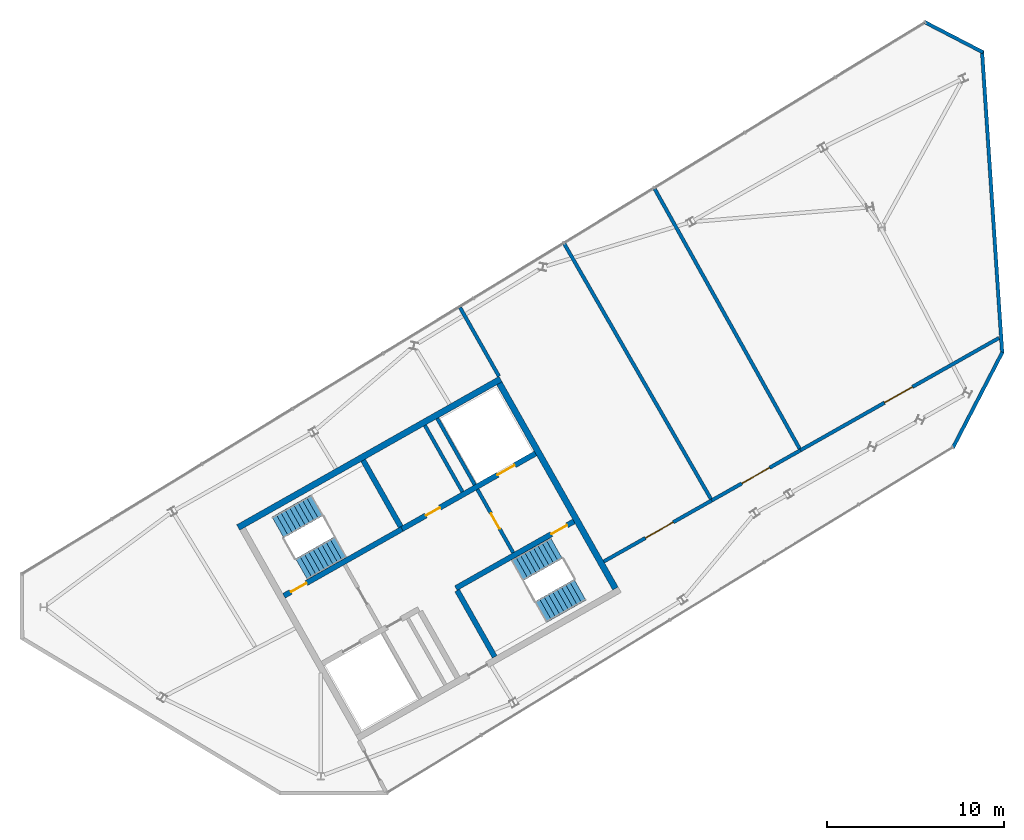
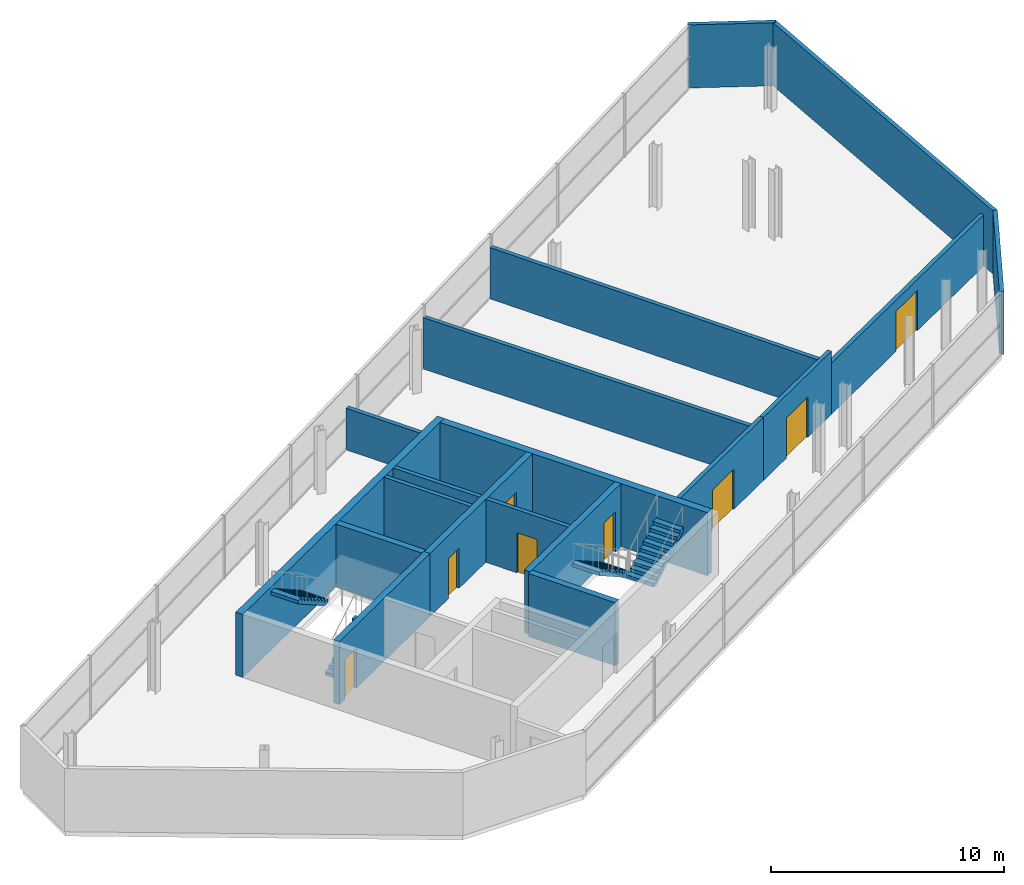
# One storey, part 7 of 8: 19 walls, 8 doors, 4 stair flights, 8 openings, 2 elements without a shape of their own.
"""IFC4 building model written with IfcOpenShell, lengths in metres."""

from ifc_helpers import new_model, si_unit, direction, frame, frame_2d, origin, place, context, subcontext, project, spatial, polyline, rectangle, outline, extrude, material, layer, layer_set, type_object, element, fill, aggregate, save


model = new_model("IFC4")

# Units and contexts
model_context = context("Model", 3, precision=1e-05, world=origin(), true_north=direction((0.0, 1.0)))
body_context = subcontext(model_context, "Body", "Model", "MODEL_VIEW")
ifc_project = project(units=[si_unit("LENGTHUNIT", "METRE"), si_unit("AREAUNIT", "SQUARE_METRE"), si_unit("VOLUMEUNIT", "CUBIC_METRE"), si_unit("PLANEANGLEUNIT", "RADIAN"), si_unit("MASSUNIT", "GRAM", prefix="KILO")], contexts=[model_context])

# Site, building, storey
site_placement = place(None, origin())
site = spatial("IfcSite", under=ifc_project, at=site_placement, CompositionType="ELEMENT")
building_placement = place(site_placement, origin())
building = spatial("IfcBuilding", under=site, at=building_placement, Name="Binnacle Exchange Tower", CompositionType="ELEMENT")
storey_placement = place(building_placement, frame((0.0, 0.0, 350.5)))
storey = spatial("IfcBuildingStorey", under=building, at=storey_placement, Name="L80", CompositionType="ELEMENT", Elevation=350.5)

# Wall, openings, doors
ifc_material_1 = material(Name="Concrete C70/85", Category="concrete")
ifc_layer_1 = layer(ifc_material_1, 0.300048828125)
ifc_layer_set_1 = layer_set([ifc_layer_1], Name="Core wall - front 300")
wall_type_1 = type_object("IfcWallType", Name="Core wall - front 300", PredefinedType="SOLIDWALL", material=ifc_layer_set_1)
wall_1_placement = place(storey_placement, frame((-37.281982421875, 41.4345703125, 0.0), z_axis=(0.0, 0.0, 1.0), x_axis=(0.870364588774, 0.492407841741, 0.0)))
wall_1 = element("IfcWall", 1, at=wall_1_placement, inside=storey, type_object=wall_type_1, Name="Core wall CRWA5", PredefinedType="SOLIDWALL", context=body_context, shape_type="SweptSolid", body=[
    extrude(rectangle(XDim=8.64990234375, YDim=0.300048828125, at=frame_2d((4.324951171875, 0.0))), origin(), (0.0, 0.0, 1.0), 3.300048828125),
])
opening_1_placement = place(wall_1_placement, frame((6.199951171875, 0.0, 0.0)))
opening_1 = element("IfcOpeningElement", 2, at=opening_1_placement, cuts=wall_1, Name="Opening LD13", PredefinedType="OPENING", context=body_context, shape_type="SweptSolid", body=[
    extrude(rectangle(XDim=1.10009765625, YDim=2.10009765625, at=frame_2d((0.550048828125, 1.050048828125))), frame((0.0, 0.159912109375, 0.0), z_axis=(0.0, -1.0, 0.0), x_axis=(1.0, 0.0, 0.0)), (0.0, 0.0, 1.0), 0.320068359375),
])
opening_2_placement = place(wall_1_placement, frame((1.550048828125, 0.0, 0.0)))
opening_2 = element("IfcOpeningElement", 3, at=opening_2_placement, cuts=wall_1, Name="Opening DA10", PredefinedType="OPENING", context=body_context, shape_type="SweptSolid", body=[
    extrude(rectangle(XDim=0.89990234375, YDim=2.10009765625, at=frame_2d((0.449951171875, 1.050048828125))), frame((0.0, 0.159912109375, 0.0), z_axis=(0.0, -1.0, 0.0), x_axis=(1.0, 0.0, 0.0)), (0.0, 0.0, 1.0), 0.320068359375),
])
ifc_material_2 = material(Name="Steel door leaf", Category="steel")
door_type_1 = type_object("IfcDoorType", Name="Fire door - lift landing 1100", OperationType="NOTDEFINED", PredefinedType="DOOR", material=ifc_material_2)
door_1_placement = place(opening_1_placement, origin())
door_1 = element("IfcDoor", 4, at=door_1_placement, inside=storey, type_object=door_type_1, Name="Landing door LD13 L80", OperationType="DOUBLE_DOOR_SLIDING", OverallHeight=2.10009765625, OverallWidth=1.10009765625, PredefinedType="DOOR", context=body_context, shape_type="SweptSolid", body=[
    extrude(rectangle(XDim=1.10009765625, YDim=2.10009765625, at=frame_2d((0.550048828125, 1.050048828125))), frame((0.0, 0.02490234375, 0.0), z_axis=(0.0, -1.0, 0.0), x_axis=(1.0, 0.0, 0.0)), (0.0, 0.0, 1.0), 0.050048828125),
])
fill(opening_1, door_1)
door_type_2 = type_object("IfcDoorType", Name="Fire door 900", OperationType="NOTDEFINED", PredefinedType="DOOR", material=ifc_material_2)
door_2_placement = place(opening_2_placement, origin())
door_2 = element("IfcDoor", 5, at=door_2_placement, inside=storey, type_object=door_type_2, Name="Core room door PANTRY", OperationType="SINGLE_SWING_LEFT", OverallHeight=2.10009765625, OverallWidth=0.89990234375, PredefinedType="DOOR", context=body_context, shape_type="SweptSolid", body=[
    extrude(rectangle(XDim=0.89990234375, YDim=2.10009765625, at=frame_2d((0.449951171875, 1.050048828125))), frame((0.0, 0.02490234375, 0.0), z_axis=(0.0, -1.0, 0.0), x_axis=(1.0, 0.0, 0.0)), (0.0, 0.0, 1.0), 0.050048828125),
])
fill(opening_2, door_2)

# Walls
ifc_layer_2 = layer(ifc_material_1, 0.35009765625)
ifc_layer_set_2 = layer_set([ifc_layer_2], Name="Core wall - outer 350")
wall_type_2 = type_object("IfcWallType", Name="Core wall - outer 350", PredefinedType="SOLIDWALL", material=ifc_layer_set_2)
wall_2_placement = place(storey_placement, frame((-46.5224609375, 41.5205078125, 0.0), z_axis=(0.0, 0.0, 1.0), x_axis=(0.870359753402, 0.492416388494, 0.0)))
element("IfcWall", 6, at=wall_2_placement, inside=storey, type_object=wall_type_2, Name="Core wall CRWA6", PredefinedType="SOLIDWALL", context=body_context, shape_type="SweptSolid", body=[
    extrude(rectangle(XDim=17.0, YDim=0.35009765625, at=frame_2d((8.5, 0.0))), origin(), (0.0, 0.0, 1.0), 3.300048828125),
])
wall_3_placement = place(storey_placement, frame((-31.79248046875, 49.6533203125, 0.0), z_axis=(0.0, 0.0, 1.0), x_axis=(0.492421943245, -0.870356610712, 0.0)))
element("IfcWall", 7, at=wall_3_placement, inside=storey, type_object=wall_type_2, Name="Core wall CRWA22", PredefinedType="SOLIDWALL", context=body_context, shape_type="SweptSolid", body=[
    extrude(rectangle(XDim=13.30029296875, YDim=0.35009765625, at=frame_2d((6.650146484375, 0.0))), origin(), (0.0, 0.0, 1.0), 3.300048828125),
])

# Wall, opening, door
ifc_layer_3 = layer(ifc_material_1, 0.300048828125)
ifc_layer_set_3 = layer_set([ifc_layer_3], Name="Core wall - stair 300")
wall_type_3 = type_object("IfcWallType", Name="Core wall - stair 300", PredefinedType="SOLIDWALL", material=ifc_layer_set_3)
wall_4_placement = place(storey_placement, frame((-34.2451171875, 38.097412109375, 0.0), z_axis=(0.0, 0.0, 1.0), x_axis=(0.870352347706, 0.49242947804, 0.0)))
wall_4 = element("IfcWall", 8, at=wall_4_placement, inside=storey, type_object=wall_type_3, Name="Core wall CRWA3", PredefinedType="SOLIDWALL", context=body_context, shape_type="SweptSolid", body=[
    extrude(rectangle(XDim=7.64990234375, YDim=0.300048828125, at=frame_2d((3.824951171875, 0.0))), origin(), (0.0, 0.0, 1.0), 3.300048828125),
])
opening_3_placement = place(wall_4_placement, frame((6.199951171875, 0.0, 0.0)))
opening_3 = element("IfcOpeningElement", 9, at=opening_3_placement, cuts=wall_4, Name="Opening DA2", PredefinedType="OPENING", context=body_context, shape_type="SweptSolid", body=[
    extrude(rectangle(XDim=1.0, YDim=2.10009765625, at=frame_2d((0.5, 1.050048828125))), frame((0.0, 0.159912109375, 0.0), z_axis=(0.0, -1.0, 0.0), x_axis=(1.0, 0.0, 0.0)), (0.0, 0.0, 1.0), 0.320068359375),
])
door_type_3 = type_object("IfcDoorType", Name="Fire door 1000", OperationType="NOTDEFINED", PredefinedType="DOOR", material=ifc_material_2)
door_3_placement = place(opening_3_placement, frame((1.0, 0.0, 0.0), z_axis=(0.0, 0.0, 1.0), x_axis=(-1.0, 0.0, 0.0)))
door_3 = element("IfcDoor", 10, at=door_3_placement, inside=storey, type_object=door_type_3, Name="Stair door ST-A2", OperationType="SINGLE_SWING_LEFT", OverallHeight=2.10009765625, OverallWidth=1.0, PredefinedType="DOOR", context=body_context, shape_type="SweptSolid", body=[
    extrude(rectangle(XDim=1.0, YDim=2.10009765625, at=frame_2d((0.5, 1.050048828125))), frame((0.0, 0.02490234375, 0.0), z_axis=(0.0, -1.0, 0.0), x_axis=(1.0, 0.0, 0.0)), (0.0, 0.0, 1.0), 0.050048828125),
])
fill(opening_3, door_3)

wall_5_placement = place(storey_placement, frame((-43.940185546875, 37.66748046875, 0.0), z_axis=(0.0, 0.0, 1.0), x_axis=(0.870352347706, 0.49242947804, 0.0)))
wall_5 = element("IfcWall", 11, at=wall_5_placement, inside=storey, type_object=wall_type_3, Name="Core wall CRWA4", PredefinedType="SOLIDWALL", context=body_context, shape_type="SweptSolid", body=[
    extrude(rectangle(XDim=7.64990234375, YDim=0.300048828125, at=frame_2d((3.824951171875, 0.0))), origin(), (0.0, 0.0, 1.0), 3.300048828125),
])
opening_4_placement = place(wall_5_placement, frame((0.449951171875, 0.0, 0.0)))
opening_4 = element("IfcOpeningElement", 12, at=opening_4_placement, cuts=wall_5, Name="Opening DA1", PredefinedType="OPENING", context=body_context, shape_type="SweptSolid", body=[
    extrude(rectangle(XDim=1.0, YDim=2.10009765625, at=frame_2d((0.5, 1.050048828125))), frame((0.0, 0.159912109375, 0.0), z_axis=(0.0, -1.0, 0.0), x_axis=(1.0, 0.0, 0.0)), (0.0, 0.0, 1.0), 0.320068359375),
])
door_4_placement = place(opening_4_placement, origin())
door_4 = element("IfcDoor", 13, at=door_4_placement, inside=storey, type_object=door_type_3, Name="Stair door ST-A1", OperationType="SINGLE_SWING_LEFT", OverallHeight=2.10009765625, OverallWidth=1.0, PredefinedType="DOOR", context=body_context, shape_type="SweptSolid", body=[
    extrude(rectangle(XDim=1.0, YDim=2.10009765625, at=frame_2d((0.5, 1.050048828125))), frame((0.0, 0.02490234375, 0.0), z_axis=(0.0, -1.0, 0.0), x_axis=(1.0, 0.0, 0.0)), (0.0, 0.0, 1.0), 0.050048828125),
])
fill(opening_4, door_4)

# Walls
wall_6_placement = place(storey_placement, frame((-39.473388671875, 45.3076171875, 0.0), z_axis=(0.0, 0.0, 1.0), x_axis=(0.492410799949, -0.870362915164, 0.0)))
element("IfcWall", 14, at=wall_6_placement, inside=storey, type_object=wall_type_3, Name="Core wall CRWA14", PredefinedType="SOLIDWALL", context=body_context, shape_type="SweptSolid", body=[
    extrude(rectangle(XDim=4.300048828125, YDim=0.300048828125, at=frame_2d((2.14990234375, 0.0))), origin(), (0.0, 0.0, 1.0), 3.300048828125),
])
wall_7_placement = place(storey_placement, frame((-34.171142578125, 37.966796875, 0.0), z_axis=(0.0, 0.0, 1.0), x_axis=(0.492435133428, -0.870349147967, 0.0)))
element("IfcWall", 15, at=wall_7_placement, inside=storey, type_object=wall_type_3, Name="Core wall CRWA16", PredefinedType="SOLIDWALL", context=body_context, shape_type="SweptSolid", body=[
    extrude(rectangle(XDim=4.2998046875, YDim=0.300048828125, at=frame_2d((2.14990234375, 0.0))), origin(), (0.0, 0.0, 1.0), 3.300048828125),
])
ifc_material_3 = material(Name="Bronze aluminium louvre", Category="aluminium")
ifc_layer_4 = layer(ifc_material_3, 0.199951171875)
ifc_layer_set_4 = layer_set([ifc_layer_4], Name="External wall - crown louvre 200")
wall_type_4 = type_object("IfcWallType", Name="External wall - crown louvre 200", PredefinedType="STANDARD", material=ifc_layer_set_4)
wall_8_placement = place(storey_placement, frame((-3.41796875, 51.410400390625, 0.0), z_axis=(0.0, 0.0, 1.0), x_axis=(-0.459961474469, -0.887938872899, 0.0)))
element("IfcWall", 16, at=wall_8_placement, inside=storey, type_object=wall_type_4, Name="External wall EW-C100 L80", PredefinedType="STANDARD", context=body_context, shape_type="SweptSolid", body=[
    extrude(rectangle(XDim=6.09130859375, YDim=0.199951171875, at=frame_2d((3.045654296875, 0.0))), origin(), (0.0, 0.0, 1.0), 3.300048828125),
])
wall_9_placement = place(storey_placement, frame((-4.567138671875, 68.404052734375, 0.0), z_axis=(0.0, 0.0, 1.0), x_axis=(0.066621445169, -0.997778323599, 0.0)))
element("IfcWall", 17, at=wall_9_placement, inside=storey, type_object=wall_type_4, Name="External wall EW-C101 L80", PredefinedType="STANDARD", context=body_context, shape_type="SweptSolid", body=[
    extrude(rectangle(XDim=17.084228515625, YDim=0.199951171875, at=frame_2d((8.5419921875, 0.0))), origin(), (0.0, 0.0, 1.0), 3.300048828125),
])
wall_10_placement = place(storey_placement, frame((-7.859619140625, 70.055419921875, 0.0), z_axis=(0.0, 0.0, 1.0), x_axis=(0.887922126938, -0.459993800495, 0.0)))
element("IfcWall", 18, at=wall_10_placement, inside=storey, type_object=wall_type_4, Name="External wall EW-C102 L80", PredefinedType="STANDARD", context=body_context, shape_type="SweptSolid", body=[
    extrude(rectangle(XDim=3.768798828125, YDim=0.199951171875, at=frame_2d((1.88427734375, 0.0))), origin(), (0.0, 0.0, 1.0), 3.300048828125),
])
ifc_material_4 = material(Name="Masonry block wall", Category="masonry")
ifc_layer_5 = layer(ifc_material_4, 0.199951171875)
ifc_layer_set_5 = layer_set([ifc_layer_5], Name="Fire wall - block 200")
wall_type_5 = type_object("IfcWallType", Name="Fire wall - block 200", PredefinedType="PARTITIONING", material=ifc_layer_set_5)
wall_11_placement = place(storey_placement, frame((-34.011962890625, 53.929931640625, 0.0), z_axis=(0.0, 0.0, 1.0), x_axis=(0.49265524993, -0.870224571428, 0.0)))
element("IfcWall", 19, at=wall_11_placement, inside=storey, type_object=wall_type_5, Name="Partition W02", PredefinedType="PARTITIONING", context=body_context, shape_type="SweptSolid", body=[
    extrude(rectangle(XDim=4.465576171875, YDim=0.199951171875, at=frame_2d((2.23291015625, 0.0))), origin(), (0.0, 0.0, 1.0), 2.179931640625),
])
wall_12_placement = place(storey_placement, frame((-28.131103515625, 57.52099609375, 0.0), z_axis=(0.0, 0.0, 1.0), x_axis=(0.498362592797, -0.866968699609, 0.0)))
element("IfcWall", 20, at=wall_12_placement, inside=storey, type_object=wall_type_5, Name="Partition W03", PredefinedType="PARTITIONING", context=body_context, shape_type="SweptSolid", body=[
    extrude(rectangle(XDim=16.69482421875, YDim=0.199951171875, at=frame_2d((8.347412109375, 0.0))), origin(), (0.0, 0.0, 1.0), 2.679931640625),
])

# Wall, opening, door
wall_13_placement = place(storey_placement, frame((-25.904052734375, 39.60009765625, 0.0), z_axis=(0.0, 0.0, 1.0), x_axis=(0.870370511163, 0.492397373366, 0.0)))
wall_13 = element("IfcWall", 21, at=wall_13_placement, inside=storey, type_object=wall_type_5, Name="Partition W04", PredefinedType="PARTITIONING", context=body_context, shape_type="SweptSolid", body=[
    extrude(rectangle(XDim=7.00048828125, YDim=0.199951171875, at=frame_2d((3.500244140625, 0.0))), origin(), (0.0, 0.0, 1.0), 3.300048828125),
])
opening_5_placement = place(wall_13_placement, frame((2.699951171875, 0.0, 0.0)))
opening_5 = element("IfcOpeningElement", 22, at=opening_5_placement, cuts=wall_13, Name="Opening DL79-01", PredefinedType="OPENING", context=body_context, shape_type="SweptSolid", body=[
    extrude(rectangle(XDim=1.800048828125, YDim=2.10009765625, at=frame_2d((0.89990234375, 1.050048828125))), frame((0.0, 0.10986328125, 0.0), z_axis=(0.0, -1.0, 0.0), x_axis=(1.0, 0.0, 0.0)), (0.0, 0.0, 1.0), 0.219970703125),
])
door_type_4 = type_object("IfcDoorType", Name="Fire door 1800", OperationType="NOTDEFINED", PredefinedType="DOOR", material=ifc_material_2)
door_5_placement = place(opening_5_placement, origin())
door_5 = element("IfcDoor", 23, at=door_5_placement, inside=storey, type_object=door_type_4, Name="Door DL79-01", OperationType="DOUBLE_DOOR_SINGLE_SWING", OverallHeight=2.10009765625, OverallWidth=1.800048828125, PredefinedType="DOOR", context=body_context, shape_type="SweptSolid", body=[
    extrude(rectangle(XDim=1.800048828125, YDim=2.10009765625, at=frame_2d((0.89990234375, 1.050048828125))), frame((0.0, 0.02490234375, 0.0), z_axis=(0.0, -1.0, 0.0), x_axis=(1.0, 0.0, 0.0)), (0.0, 0.0, 1.0), 0.050048828125),
])
fill(opening_5, door_5)

# Wall
wall_14_placement = place(storey_placement, frame((-23.037109375, 60.631103515625, 0.0), z_axis=(0.0, 0.0, 1.0), x_axis=(0.487224959402, -0.873276496269, 0.0)))
element("IfcWall", 24, at=wall_14_placement, inside=storey, type_object=wall_type_5, Name="Partition W05", PredefinedType="PARTITIONING", context=body_context, shape_type="SweptSolid", body=[
    extrude(rectangle(XDim=16.89404296875, YDim=0.199951171875, at=frame_2d((8.447021484375, 0.0))), origin(), (0.0, 0.0, 1.0), 2.679931640625),
])

# Wall, opening, door
wall_15_placement = place(storey_placement, frame((-19.81103515625, 43.047119140625, 0.0), z_axis=(0.0, 0.0, 1.0), x_axis=(0.870426794604, 0.492297872467, 0.0)))
wall_15 = element("IfcWall", 25, at=wall_15_placement, inside=storey, type_object=wall_type_5, Name="Partition W06", PredefinedType="PARTITIONING", context=body_context, shape_type="SweptSolid", body=[
    extrude(rectangle(XDim=5.750244140625, YDim=0.199951171875, at=frame_2d((2.875, 0.0))), origin(), (0.0, 0.0, 1.0), 3.300048828125),
])
opening_6_placement = place(wall_15_placement, frame((1.949951171875, 0.0, 0.0)))
opening_6 = element("IfcOpeningElement", 26, at=opening_6_placement, cuts=wall_15, Name="Opening DL79-02", PredefinedType="OPENING", context=body_context, shape_type="SweptSolid", body=[
    extrude(rectangle(XDim=1.800048828125, YDim=2.10009765625, at=frame_2d((0.89990234375, 1.050048828125))), frame((0.0, 0.10986328125, 0.0), z_axis=(0.0, -1.0, 0.0), x_axis=(1.0, 0.0, 0.0)), (0.0, 0.0, 1.0), 0.219970703125),
])
door_6_placement = place(opening_6_placement, origin())
door_6 = element("IfcDoor", 27, at=door_6_placement, inside=storey, type_object=door_type_4, Name="Door DL79-02", OperationType="DOUBLE_DOOR_SINGLE_SWING", OverallHeight=2.10009765625, OverallWidth=1.800048828125, PredefinedType="DOOR", context=body_context, shape_type="SweptSolid", body=[
    extrude(rectangle(XDim=1.800048828125, YDim=2.10009765625, at=frame_2d((0.89990234375, 1.050048828125))), frame((0.0, 0.02490234375, 0.0), z_axis=(0.0, -1.0, 0.0), x_axis=(1.0, 0.0, 0.0)), (0.0, 0.0, 1.0), 0.050048828125),
])
fill(opening_6, door_6)

wall_16_placement = place(storey_placement, frame((-14.805908203125, 45.8779296875, 0.0), z_axis=(0.0, 0.0, 1.0), x_axis=(0.870379652776, 0.492381214136, 0.0)))
wall_16 = element("IfcWall", 28, at=wall_16_placement, inside=storey, type_object=wall_type_5, Name="Partition W07", PredefinedType="PARTITIONING", context=body_context, shape_type="SweptSolid", body=[
    extrude(rectangle(XDim=12.862060546875, YDim=0.199951171875, at=frame_2d((6.43115234375, 0.0))), origin(), (0.0, 0.0, 1.0), 2.679931640625),
])
opening_7_placement = place(wall_16_placement, frame((5.449951171875, 0.0, 0.0)))
opening_7 = element("IfcOpeningElement", 29, at=opening_7_placement, cuts=wall_16, Name="Opening DL79-03", PredefinedType="OPENING", context=body_context, shape_type="SweptSolid", body=[
    extrude(rectangle(XDim=1.800048828125, YDim=2.10009765625, at=frame_2d((0.89990234375, 1.050048828125))), frame((0.0, 0.10986328125, 0.0), z_axis=(0.0, -1.0, 0.0), x_axis=(1.0, 0.0, 0.0)), (0.0, 0.0, 1.0), 0.219970703125),
])
door_7_placement = place(opening_7_placement, origin())
door_7 = element("IfcDoor", 30, at=door_7_placement, inside=storey, type_object=door_type_4, Name="Door DL79-03", OperationType="DOUBLE_DOOR_SINGLE_SWING", OverallHeight=2.10009765625, OverallWidth=1.800048828125, PredefinedType="DOOR", context=body_context, shape_type="SweptSolid", body=[
    extrude(rectangle(XDim=1.800048828125, YDim=2.10009765625, at=frame_2d((0.89990234375, 1.050048828125))), frame((0.0, 0.02490234375, 0.0), z_axis=(0.0, -1.0, 0.0), x_axis=(1.0, 0.0, 0.0)), (0.0, 0.0, 1.0), 0.050048828125),
])
fill(opening_7, door_7)

ifc_layer_6 = layer(ifc_material_4, 0.199951171875)
ifc_layer_set_6 = layer_set([ifc_layer_6], Name="Fire wall - vestibule 200")
wall_type_6 = type_object("IfcWallType", Name="Fire wall - vestibule 200", PredefinedType="PARTITIONING", material=ifc_layer_set_6)
wall_17_placement = place(storey_placement, frame((-33.030517578125, 43.66748046875, 0.0), z_axis=(0.0, 0.0, 1.0), x_axis=(0.492408451753, -0.87036424366, 0.0)))
wall_17 = element("IfcWall", 31, at=wall_17_placement, inside=storey, type_object=wall_type_6, Name="Core wall CRWA19", PredefinedType="PARTITIONING", context=body_context, shape_type="SweptSolid", body=[
    extrude(rectangle(XDim=4.099853515625, YDim=0.199951171875, at=frame_2d((2.0498046875, 0.0))), origin(), (0.0, 0.0, 1.0), 3.300048828125),
])
opening_8_placement = place(wall_17_placement, frame((1.550048828125, 0.0, 0.0)))
opening_8 = element("IfcOpeningElement", 32, at=opening_8_placement, cuts=wall_17, Name="Opening DA4", PredefinedType="OPENING", context=body_context, shape_type="SweptSolid", body=[
    extrude(rectangle(XDim=1.0, YDim=2.10009765625, at=frame_2d((0.5, 1.050048828125))), frame((0.0, 0.10986328125, 0.0), z_axis=(0.0, -1.0, 0.0), x_axis=(1.0, 0.0, 0.0)), (0.0, 0.0, 1.0), 0.219970703125),
])
door_8_placement = place(opening_8_placement, origin())
door_8 = element("IfcDoor", 33, at=door_8_placement, inside=storey, type_object=door_type_3, Name="Vestibule door VEST-E", OperationType="SINGLE_SWING_RIGHT", OverallHeight=2.10009765625, OverallWidth=1.0, PredefinedType="DOOR", context=body_context, shape_type="SweptSolid", body=[
    extrude(rectangle(XDim=1.0, YDim=2.10009765625, at=frame_2d((0.5, 1.050048828125))), frame((0.0, 0.02490234375, 0.0), z_axis=(0.0, -1.0, 0.0), x_axis=(1.0, 0.0, 0.0)), (0.0, 0.0, 1.0), 0.050048828125),
])
fill(opening_8, door_8)

# Walls
ifc_layer_7 = layer(ifc_material_4, 0.199951171875)
ifc_layer_set_7 = layer_set([ifc_layer_7], Name="Riser wall 200")
wall_type_7 = type_object("IfcWallType", Name="Riser wall 200", PredefinedType="SOLIDWALL", material=ifc_layer_set_7)
wall_18_placement = place(storey_placement, frame((-35.991943359375, 47.27734375, 0.0), z_axis=(0.0, 0.0, 1.0), x_axis=(0.492410799949, -0.870362915164, 0.0)))
element("IfcWall", 34, at=wall_18_placement, inside=storey, type_object=wall_type_7, Name="Core wall CRWA18", PredefinedType="SOLIDWALL", context=body_context, shape_type="SweptSolid", body=[
    extrude(rectangle(XDim=4.300048828125, YDim=0.199951171875, at=frame_2d((2.14990234375, 0.0))), origin(), (0.0, 0.0, 1.0), 3.300048828125),
])
wall_19_placement = place(storey_placement, frame((-35.295654296875, 47.671142578125, 0.0), z_axis=(0.0, 0.0, 1.0), x_axis=(0.492435133428, -0.870349147967, 0.0)))
element("IfcWall", 35, at=wall_19_placement, inside=storey, type_object=wall_type_7, Name="Core wall CRWA20", PredefinedType="SOLIDWALL", context=body_context, shape_type="SweptSolid", body=[
    extrude(rectangle(XDim=4.2998046875, YDim=0.199951171875, at=frame_2d((2.14990234375, 0.0))), origin(), (0.0, 0.0, 1.0), 3.300048828125),
])

# Stair, stair flights
ifc_material_5 = material(Name="Concrete C35/45", Category="concrete")
stair_type = type_object("IfcStairType", Name="STAIR 20 RISERS 180", PredefinedType="HALF_TURN_STAIR", material=ifc_material_5)
stair_1_placement = place(storey_placement, origin())
stair_1 = element("IfcStair", 36, at=stair_1_placement, inside=storey, type_object=stair_type, Name="L80 Escape stair A1", PredefinedType="HALF_TURN_STAIR")
stair_flight_type = type_object("IfcStairFlightType", Name="STAIR FLIGHT 180X280", PredefinedType="STRAIGHT", material=ifc_material_5)
stair_flight_1_placement = place(storey_placement, frame((-42.9541015625, 39.17333984375, 0.0), z_axis=(0.0, 0.0, 1.0), x_axis=(0.870355584213, 0.492423757581, 0.0)))
stair_flight_1 = element("IfcStairFlight", 37, at=stair_flight_1_placement, type_object=stair_flight_type, Name="STA1 flight 1", NumberOfRisers=10, NumberOfTreads=9, PredefinedType="STRAIGHT", RiserHeight=0.18, TreadLength=0.28, context=body_context, shape_type="SweptSolid", body=[
    extrude(outline(polyline([(0.0, 0.0), (0.0, 0.179931640625), (0.280029296875, 0.179931640625), (0.280029296875, 0.360107421875), (0.56005859375, 0.360107421875), (0.56005859375, 0.5400390625), (0.840087890625, 0.5400390625), (0.840087890625, 0.719970703125), (1.1201171875, 0.719970703125), (1.1201171875, 0.89990234375), (1.39990234375, 0.89990234375), (1.39990234375, 1.080078125), (1.679931640625, 1.080078125), (1.679931640625, 1.260009765625), (1.9599609375, 1.260009765625), (1.9599609375, 1.43994140625), (2.239990234375, 1.43994140625), (2.239990234375, 1.6201171875), (2.52001953125, 1.6201171875), (2.52001953125, 1.800048828125), (2.52001953125, 1.44189453125), (0.277099609375, 0.0), (0.0, 0.0)])), frame((0.0, 0.675048828125, 0.0), z_axis=(0.0, -1.0, 0.0), x_axis=(1.0, 0.0, 0.0)), (0.0, 0.0, 1.0), 1.35009765625),
])
stair_flight_2_placement = place(storey_placement, frame((-42.09033203125, 42.76416015625, 1.800048828125), z_axis=(0.0, 0.0, 1.0), x_axis=(-0.870355584213, -0.492423757581, 0.0)))
stair_flight_2 = element("IfcStairFlight", 38, at=stair_flight_2_placement, type_object=stair_flight_type, Name="STA1 flight 2", NumberOfRisers=10, NumberOfTreads=9, PredefinedType="STRAIGHT", RiserHeight=0.18, TreadLength=0.28, context=body_context, shape_type="SweptSolid", body=[
    extrude(outline(polyline([(0.0, 0.0), (0.0, 0.179931640625), (0.280029296875, 0.179931640625), (0.280029296875, 0.360107421875), (0.56005859375, 0.360107421875), (0.56005859375, 0.5400390625), (0.840087890625, 0.5400390625), (0.840087890625, 0.719970703125), (1.1201171875, 0.719970703125), (1.1201171875, 0.89990234375), (1.39990234375, 0.89990234375), (1.39990234375, 1.080078125), (1.679931640625, 1.080078125), (1.679931640625, 1.260009765625), (1.9599609375, 1.260009765625), (1.9599609375, 1.43994140625), (2.239990234375, 1.43994140625), (2.239990234375, 1.6201171875), (2.52001953125, 1.6201171875), (2.52001953125, 1.800048828125), (2.52001953125, 1.44189453125), (0.277099609375, 0.0), (0.0, 0.0)])), frame((0.0, 0.675048828125, 0.0), z_axis=(0.0, -1.0, 0.0), x_axis=(1.0, 0.0, 0.0)), (0.0, 0.0, 1.0), 1.35009765625),
])
aggregate(stair_1, [stair_flight_1, stair_flight_2])

stair_2_placement = place(storey_placement, origin())
stair_2 = element("IfcStair", 39, at=stair_2_placement, inside=storey, type_object=stair_type, Name="L80 Escape stair A2", PredefinedType="HALF_TURN_STAIR")
stair_flight_3_placement = place(storey_placement, frame((-28.5732421875, 40.3583984375, 0.0), z_axis=(0.0, 0.0, 1.0), x_axis=(-0.870355584213, -0.492423757581, 0.0)))
stair_flight_3 = element("IfcStairFlight", 40, at=stair_flight_3_placement, type_object=stair_flight_type, Name="STA2 flight 1", NumberOfRisers=10, NumberOfTreads=9, PredefinedType="STRAIGHT", RiserHeight=0.18, TreadLength=0.28, context=body_context, shape_type="SweptSolid", body=[
    extrude(outline(polyline([(0.0, 0.0), (0.0, 0.179931640625), (0.280029296875, 0.179931640625), (0.280029296875, 0.360107421875), (0.56005859375, 0.360107421875), (0.56005859375, 0.5400390625), (0.840087890625, 0.5400390625), (0.840087890625, 0.719970703125), (1.1201171875, 0.719970703125), (1.1201171875, 0.89990234375), (1.39990234375, 0.89990234375), (1.39990234375, 1.080078125), (1.679931640625, 1.080078125), (1.679931640625, 1.260009765625), (1.9599609375, 1.260009765625), (1.9599609375, 1.43994140625), (2.239990234375, 1.43994140625), (2.239990234375, 1.6201171875), (2.52001953125, 1.6201171875), (2.52001953125, 1.800048828125), (2.52001953125, 1.44189453125), (0.277099609375, 0.0), (0.0, 0.0)])), frame((0.0, 0.675048828125, 0.0), z_axis=(0.0, -1.0, 0.0), x_axis=(1.0, 0.0, 0.0)), (0.0, 0.0, 1.0), 1.35009765625),
])
stair_flight_4_placement = place(storey_placement, frame((-29.43701171875, 36.767578125, 1.800048828125), z_axis=(0.0, 0.0, 1.0), x_axis=(0.870355584213, 0.492423757581, 0.0)))
stair_flight_4 = element("IfcStairFlight", 41, at=stair_flight_4_placement, type_object=stair_flight_type, Name="STA2 flight 2", NumberOfRisers=10, NumberOfTreads=9, PredefinedType="STRAIGHT", RiserHeight=0.18, TreadLength=0.28, context=body_context, shape_type="SweptSolid", body=[
    extrude(outline(polyline([(0.0, 0.0), (0.0, 0.179931640625), (0.280029296875, 0.179931640625), (0.280029296875, 0.360107421875), (0.56005859375, 0.360107421875), (0.56005859375, 0.5400390625), (0.840087890625, 0.5400390625), (0.840087890625, 0.719970703125), (1.1201171875, 0.719970703125), (1.1201171875, 0.89990234375), (1.39990234375, 0.89990234375), (1.39990234375, 1.080078125), (1.679931640625, 1.080078125), (1.679931640625, 1.260009765625), (1.9599609375, 1.260009765625), (1.9599609375, 1.43994140625), (2.239990234375, 1.43994140625), (2.239990234375, 1.6201171875), (2.52001953125, 1.6201171875), (2.52001953125, 1.800048828125), (2.52001953125, 1.44189453125), (0.277099609375, 0.0), (0.0, 0.0)])), frame((0.0, 0.675048828125, 0.0), z_axis=(0.0, -1.0, 0.0), x_axis=(1.0, 0.0, 0.0)), (0.0, 0.0, 1.0), 1.35009765625),
])
aggregate(stair_2, [stair_flight_3, stair_flight_4])

save(model, "model.ifc")
